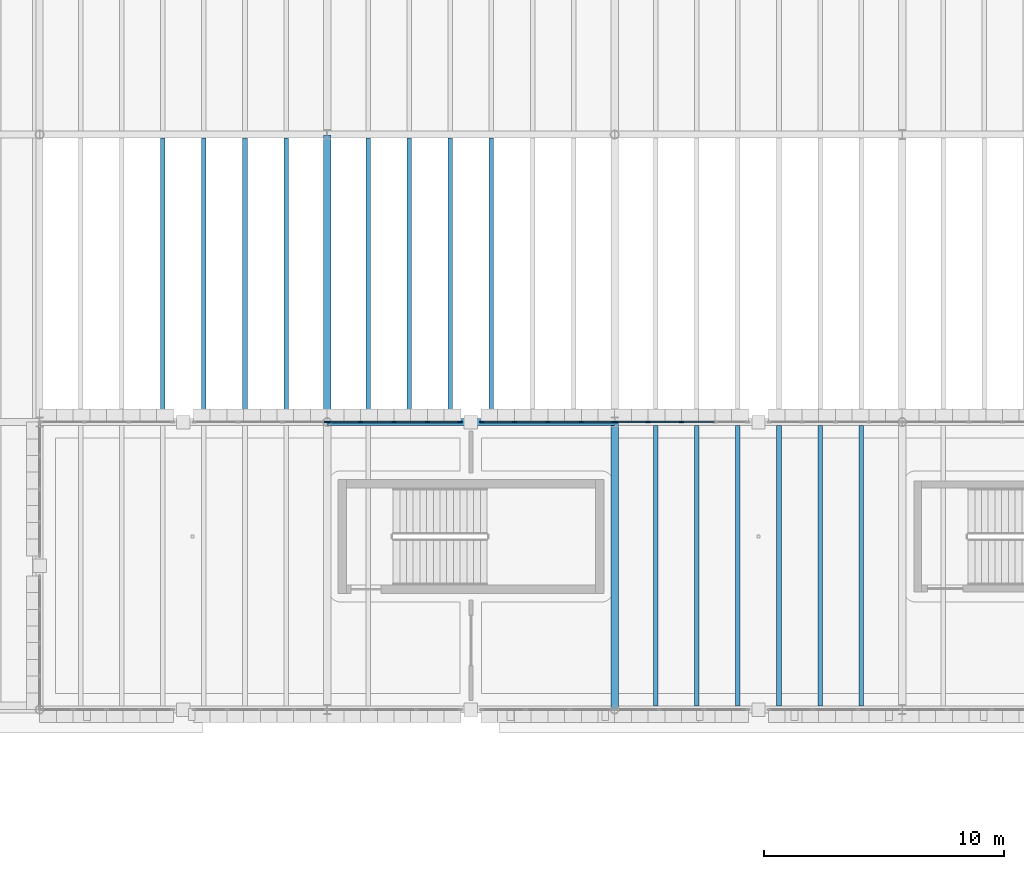
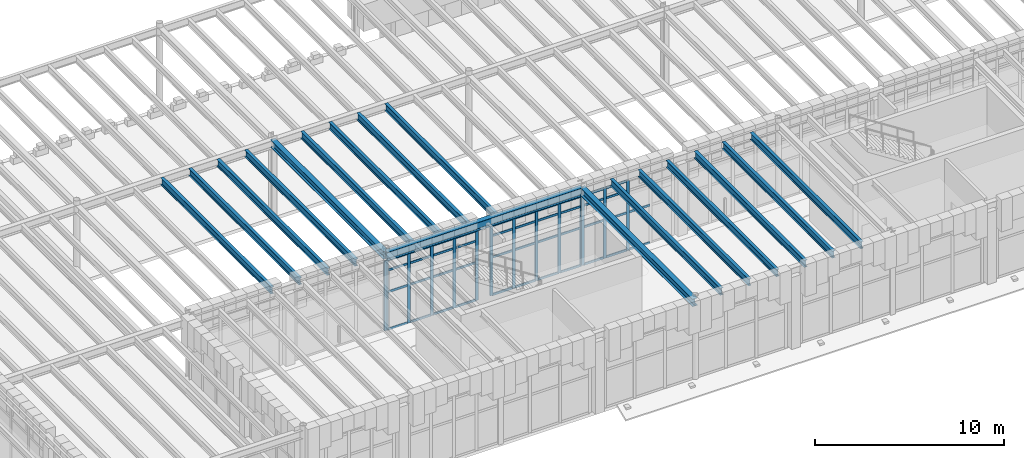
# One storey, part 31 of 100: 56 members, 17 beams, 4 elements without a shape of their own.
"""IFC4 building model written with IfcOpenShell, lengths in metres."""

from ifc_helpers import new_model, si_unit, direction, frame, origin, origin_2d, place, context, subcontext, project, spatial, rectangle, i_section, extrude, material, layer, layer_set, material_profile, profile_set, type_object, element, aggregate, save


model = new_model("IFC4")

# Units and contexts
model_context = context("Model", 3, precision=1e-05, world=origin(), true_north=direction((0.0, 1.0)))
body_context = subcontext(model_context, "Body", "Model", "MODEL_VIEW")
ifc_project = project(units=[si_unit("LENGTHUNIT", "METRE"), si_unit("AREAUNIT", "SQUARE_METRE"), si_unit("VOLUMEUNIT", "CUBIC_METRE"), si_unit("PLANEANGLEUNIT", "RADIAN"), si_unit("MASSUNIT", "GRAM", prefix="KILO")], contexts=[model_context])

# Site, building, storey
site_placement = place(None, origin())
site = spatial("IfcSite", under=ifc_project, at=site_placement, CompositionType="ELEMENT")
building_placement = place(site_placement, origin())
building = spatial("IfcBuilding", under=site, at=building_placement, Name="Zlatogorsky Bluff Art Gallery", CompositionType="ELEMENT")
storey_placement = place(building_placement, frame((0.0, 0.0, 5.39990234375)))
storey = spatial("IfcBuildingStorey", under=building, at=storey_placement, Name="L01", CompositionType="ELEMENT", Elevation=5.39990234375)

# Beams
ifc_material_1 = material(Name="Steel S355", Category="steel")
ifc_material_profile_1 = material_profile(ifc_material_1, i_section(OverallWidth=0.300048828125, OverallDepth=0.5400390625, WebThickness=0.012451171875, FlangeThickness=0.02392578125, FilletRadius=0.027099609375, at=origin_2d()), Name="HEA 550")
ifc_profile_set_1 = profile_set([ifc_material_profile_1], Name="Steel S355")
beam_type_1 = type_object("IfcBeamType", Name="Beam BM-06 HEA 550", PredefinedType="BEAM", material=ifc_profile_set_1)
beam_placement = place(storey_placement, frame((72.014892578125, 96.0, 4.840087890625), z_axis=(1.0, 0.0, 0.0), x_axis=(0.0, 1.0, 0.0)))
element("IfcBeam", 1, at=beam_placement, inside=storey, type_object=beam_type_1, Name="Primary girder BM-06 L01 G-H/10", PredefinedType="BEAM", context=body_context, shape_type="SweptSolid", body=[
    extrude(i_section(OverallWidth=0.300048828125, OverallDepth=0.5400390625, WebThickness=0.012451171875, FlangeThickness=0.02392578125, FilletRadius=0.027099609375, at=origin_2d()), origin(), (0.0, 0.0, 1.0), 11.97021484375),
])
ifc_material_profile_2 = material_profile(ifc_material_1, i_section(OverallWidth=0.300048828125, OverallDepth=0.489990234375, WebThickness=0.011962890625, FlangeThickness=0.02294921875, FilletRadius=0.027099609375, at=origin_2d()), Name="HEA 500")
ifc_profile_set_2 = profile_set([ifc_material_profile_2], Name="Steel S355")
beam_type_2 = type_object("IfcBeamType", Name="Beam BM-07 HEA 500", PredefinedType="BEAM", material=ifc_profile_set_2)
for number, where, z_axis, x_axis, name in (
    (2, (72.0, 96.014892578125, 4.864990234375), (0.0, 1.0, 0.0), (-1.0, 0.0, 0.0), "Primary girder BM-07 L01 G/10-11"),
    (3, (84.0, 84.014892578125, 4.864990234375), (0.0, 1.0, 0.0), (-1.0, 0.0, 0.0), "Primary girder BM-07 L01 H/9-10"),
):
    element("IfcBeam", number, at=place(storey_placement, frame(where, z_axis=z_axis, x_axis=x_axis)), inside=storey, type_object=beam_type_2, Name=name, PredefinedType="BEAM", context=body_context, shape_type="SweptSolid", body=[
        extrude(i_section(OverallWidth=0.300048828125, OverallDepth=0.489990234375, WebThickness=0.011962890625, FlangeThickness=0.02294921875, FilletRadius=0.027099609375, at=origin_2d()), origin(), (0.0, 0.0, 1.0), 11.97021484375),
    ])
ifc_material_profile_3 = material_profile(ifc_material_1, i_section(OverallWidth=0.18994140625, OverallDepth=0.449951171875, WebThickness=0.009521484375, FlangeThickness=0.0146484375, FilletRadius=0.02099609375, at=origin_2d()), Name="IPE 450")
ifc_profile_set_3 = profile_set([ifc_material_profile_3], Name="Steel S355")
beam_type_3 = type_object("IfcBeamType", Name="Beam JS-06 IPE 450", PredefinedType="JOIST", material=ifc_profile_set_3)
for number, where, z_axis, x_axis, name in (
    (4, (65.142822265625, 96.14990234375, 4.885009765625), (0.0, 1.0, 0.0), (-1.0, 0.0, 0.0), "Composite floor joist JS-06 L01 05.09.3"),
    (5, (66.857177734375, 96.14990234375, 4.885009765625), (0.0, 1.0, 0.0), (-1.0, 0.0, 0.0), "Composite floor joist JS-06 L01 05.09.4"),
    (6, (68.571533203125, 96.14990234375, 4.885009765625), (0.0, 1.0, 0.0), (-1.0, 0.0, 0.0), "Composite floor joist JS-06 L01 05.09.5"),
    (7, (70.28564453125, 96.14990234375, 4.885009765625), (0.0, 1.0, 0.0), (-1.0, 0.0, 0.0), "Composite floor joist JS-06 L01 05.09.6"),
    (8, (73.71435546875, 96.14990234375, 4.885009765625), (0.0, 1.0, 0.0), (-1.0, 0.0, 0.0), "Composite floor joist JS-06 L01 06.09.1"),
    (9, (75.428466796875, 96.14990234375, 4.885009765625), (0.0, 1.0, 0.0), (-1.0, 0.0, 0.0), "Composite floor joist JS-06 L01 06.09.2"),
    (10, (77.142822265625, 96.14990234375, 4.885009765625), (0.0, 1.0, 0.0), (-1.0, 0.0, 0.0), "Composite floor joist JS-06 L01 06.09.3"),
    (11, (78.857177734375, 96.14990234375, 4.885009765625), (0.0, 1.0, 0.0), (-1.0, 0.0, 0.0), "Composite floor joist JS-06 L01 06.09.4"),
    (12, (85.71435546875, 84.14990234375, 4.885009765625), (0.0, 1.0, 0.0), (-1.0, 0.0, 0.0), "Composite floor joist JS-06 L01 07.08.1"),
    (13, (87.428466796875, 84.14990234375, 4.885009765625), (0.0, 1.0, 0.0), (-1.0, 0.0, 0.0), "Composite floor joist JS-06 L01 07.08.2"),
    (14, (89.142822265625, 84.14990234375, 4.885009765625), (0.0, 1.0, 0.0), (-1.0, 0.0, 0.0), "Composite floor joist JS-06 L01 07.08.3"),
    (15, (90.857177734375, 84.14990234375, 4.885009765625), (0.0, 1.0, 0.0), (-1.0, 0.0, 0.0), "Composite floor joist JS-06 L01 07.08.4"),
    (16, (92.571533203125, 84.14990234375, 4.885009765625), (0.0, 1.0, 0.0), (-1.0, 0.0, 0.0), "Composite floor joist JS-06 L01 07.08.5"),
    (17, (94.28564453125, 84.14990234375, 4.885009765625), (0.0, 1.0, 0.0), (-1.0, 0.0, 0.0), "Composite floor joist JS-06 L01 07.08.6"),
):
    element("IfcBeam", number, at=place(storey_placement, frame(where, z_axis=z_axis, x_axis=x_axis)), inside=storey, type_object=beam_type_3, Name=name, PredefinedType="JOIST", context=body_context, shape_type="SweptSolid", body=[
        extrude(i_section(OverallWidth=0.18994140625, OverallDepth=0.449951171875, WebThickness=0.009521484375, FlangeThickness=0.0146484375, FilletRadius=0.02099609375, at=origin_2d()), origin(), (0.0, 0.0, 1.0), 11.7001953125),
    ])

# Curtain wall, member
ifc_material_2 = material(Name="Anodised Bronze Aluminium and Low-Iron Triple Glazing", Category="aluminium")
ifc_layer_1 = layer(ifc_material_2, 0.219970703125)
ifc_layer_set_1 = layer_set([ifc_layer_1], Name="Curtain Wall CW-04")
curtain_wall_type_1 = type_object("IfcCurtainWallType", Name="Curtain Wall CW-04", PredefinedType="USERDEFINED", material=ifc_layer_set_1)
curtain_wall_1_placement = place(storey_placement, origin())
curtain_wall_1 = element("IfcCurtainWall", 18, at=curtain_wall_1_placement, inside=storey, type_object=curtain_wall_type_1, Name="Unitised curtain wall CW-04 L01 N 5.8-A", ObjectType="CURTAIN WALL", PredefinedType="USERDEFINED")
ifc_material_3 = material(Name="Anodised Bronze Aluminium", Category="aluminium")
ifc_material_profile_4 = material_profile(ifc_material_3, rectangle(XDim=0.06494140625, YDim=0.179931640625, at=origin_2d()), Name="ALU MULLION 65x180")
ifc_profile_set_4 = profile_set([ifc_material_profile_4], Name="Anodised Bronze Aluminium")
member_type_1 = type_object("IfcMemberType", Name="Curtain Mullion ML-01", PredefinedType="MULLION", material=ifc_profile_set_4)
member_1_placement = place(storey_placement, frame((71.967529296875, 96.0, 0.0), z_axis=(0.0, 0.0, 1.0), x_axis=(0.0, -1.0, 0.0)))
member_1 = element("IfcMember", 19, at=member_1_placement, type_object=member_type_1, Name="CW-04 mullion 1", PredefinedType="MULLION", context=body_context, shape_type="SweptSolid", body=[
    extrude(rectangle(XDim=0.06494140625, YDim=0.179931640625, at=origin_2d()), origin(), (0.0, 0.0, 1.0), 4.530029296875),
])
aggregate(curtain_wall_1, [member_1])

# Curtain wall, members
ifc_layer_2 = layer(ifc_material_2, 0.199951171875)
ifc_layer_set_2 = layer_set([ifc_layer_2], Name="Curtain Wall CW-02")
curtain_wall_type_2 = type_object("IfcCurtainWallType", Name="Curtain Wall CW-02", PredefinedType="USERDEFINED", material=ifc_layer_set_2)
curtain_wall_2_placement = place(storey_placement, origin())
curtain_wall_2 = element("IfcCurtainWall", 20, at=curtain_wall_2_placement, inside=storey, type_object=curtain_wall_type_2, Name="Unitised curtain wall CW-02 L01 N 6.8-A", ObjectType="CURTAIN WALL", PredefinedType="USERDEFINED")
member_2_placement = place(storey_placement, frame((83.967529296875, 96.0, 0.0), z_axis=(0.0, 0.0, 1.0), x_axis=(0.0, -1.0, 0.0)))
member_2 = element("IfcMember", 21, at=member_2_placement, type_object=member_type_1, Name="CW-02 mullion 1", PredefinedType="MULLION", context=body_context, shape_type="SweptSolid", body=[
    extrude(rectangle(XDim=0.06494140625, YDim=0.179931640625, at=origin_2d()), origin(), (0.0, 0.0, 1.0), 4.530029296875),
])
member_3_placement = place(storey_placement, frame((82.60498046875, 96.0, 0.0), z_axis=(0.0, 0.0, 1.0), x_axis=(0.0, -1.0, 0.0)))
member_3 = element("IfcMember", 22, at=member_3_placement, type_object=member_type_1, Name="CW-02 mullion 2", PredefinedType="MULLION", context=body_context, shape_type="SweptSolid", body=[
    extrude(rectangle(XDim=0.06494140625, YDim=0.179931640625, at=origin_2d()), origin(), (0.0, 0.0, 1.0), 4.530029296875),
])
member_4_placement = place(storey_placement, frame((81.2099609375, 96.0, 0.0), z_axis=(0.0, 0.0, 1.0), x_axis=(0.0, -1.0, 0.0)))
member_4 = element("IfcMember", 23, at=member_4_placement, type_object=member_type_1, Name="CW-02 mullion 3", PredefinedType="MULLION", context=body_context, shape_type="SweptSolid", body=[
    extrude(rectangle(XDim=0.06494140625, YDim=0.179931640625, at=origin_2d()), origin(), (0.0, 0.0, 1.0), 4.530029296875),
])
member_5_placement = place(storey_placement, frame((79.81494140625, 96.0, 0.0), z_axis=(0.0, 0.0, 1.0), x_axis=(0.0, -1.0, 0.0)))
member_5 = element("IfcMember", 24, at=member_5_placement, type_object=member_type_1, Name="CW-02 mullion 4", PredefinedType="MULLION", context=body_context, shape_type="SweptSolid", body=[
    extrude(rectangle(XDim=0.06494140625, YDim=0.179931640625, at=origin_2d()), origin(), (0.0, 0.0, 1.0), 4.530029296875),
])
member_6_placement = place(storey_placement, frame((78.452392578125, 96.0, 0.0), z_axis=(0.0, 0.0, 1.0), x_axis=(0.0, -1.0, 0.0)))
member_6 = element("IfcMember", 25, at=member_6_placement, type_object=member_type_1, Name="CW-02 mullion 5", PredefinedType="MULLION", context=body_context, shape_type="SweptSolid", body=[
    extrude(rectangle(XDim=0.06494140625, YDim=0.179931640625, at=origin_2d()), origin(), (0.0, 0.0, 1.0), 4.530029296875),
])

curtain_wall_3_placement = place(storey_placement, origin())
curtain_wall_3 = element("IfcCurtainWall", 26, at=curtain_wall_3_placement, inside=storey, type_object=curtain_wall_type_2, Name="Unitised curtain wall CW-02 L01 N 6.8-B", ObjectType="CURTAIN WALL", PredefinedType="USERDEFINED")
member_7_placement = place(storey_placement, frame((77.547607421875, 96.0, 0.0), z_axis=(0.0, 0.0, 1.0), x_axis=(0.0, -1.0, 0.0)))
member_7 = element("IfcMember", 27, at=member_7_placement, type_object=member_type_1, Name="CW-02 mullion 1", PredefinedType="MULLION", context=body_context, shape_type="SweptSolid", body=[
    extrude(rectangle(XDim=0.06494140625, YDim=0.179931640625, at=origin_2d()), origin(), (0.0, 0.0, 1.0), 4.530029296875),
])
member_8_placement = place(storey_placement, frame((76.18505859375, 96.0, 0.0), z_axis=(0.0, 0.0, 1.0), x_axis=(0.0, -1.0, 0.0)))
member_8 = element("IfcMember", 28, at=member_8_placement, type_object=member_type_1, Name="CW-02 mullion 2", PredefinedType="MULLION", context=body_context, shape_type="SweptSolid", body=[
    extrude(rectangle(XDim=0.06494140625, YDim=0.179931640625, at=origin_2d()), origin(), (0.0, 0.0, 1.0), 4.530029296875),
])
member_9_placement = place(storey_placement, frame((74.7900390625, 96.0, 0.0), z_axis=(0.0, 0.0, 1.0), x_axis=(0.0, -1.0, 0.0)))
member_9 = element("IfcMember", 29, at=member_9_placement, type_object=member_type_1, Name="CW-02 mullion 3", PredefinedType="MULLION", context=body_context, shape_type="SweptSolid", body=[
    extrude(rectangle(XDim=0.06494140625, YDim=0.179931640625, at=origin_2d()), origin(), (0.0, 0.0, 1.0), 4.530029296875),
])
member_10_placement = place(storey_placement, frame((73.39501953125, 96.0, 0.0), z_axis=(0.0, 0.0, 1.0), x_axis=(0.0, -1.0, 0.0)))
member_10 = element("IfcMember", 30, at=member_10_placement, type_object=member_type_1, Name="CW-02 mullion 4", PredefinedType="MULLION", context=body_context, shape_type="SweptSolid", body=[
    extrude(rectangle(XDim=0.06494140625, YDim=0.179931640625, at=origin_2d()), origin(), (0.0, 0.0, 1.0), 4.530029296875),
])
member_11_placement = place(storey_placement, frame((72.032470703125, 96.0, 0.0), z_axis=(0.0, 0.0, 1.0), x_axis=(0.0, -1.0, 0.0)))
member_11 = element("IfcMember", 31, at=member_11_placement, type_object=member_type_1, Name="CW-02 mullion 5", PredefinedType="MULLION", context=body_context, shape_type="SweptSolid", body=[
    extrude(rectangle(XDim=0.06494140625, YDim=0.179931640625, at=origin_2d()), origin(), (0.0, 0.0, 1.0), 4.530029296875),
])

curtain_wall_4_placement = place(storey_placement, origin())
curtain_wall_4 = element("IfcCurtainWall", 32, at=curtain_wall_4_placement, inside=storey, type_object=curtain_wall_type_2, Name="Unitised curtain wall CW-02 L01 N 7.8-B", ObjectType="CURTAIN WALL", PredefinedType="USERDEFINED")
member_12_placement = place(storey_placement, frame((86.7900390625, 96.0, 0.0), z_axis=(0.0, 0.0, 1.0), x_axis=(0.0, -1.0, 0.0)))
member_12 = element("IfcMember", 33, at=member_12_placement, type_object=member_type_1, Name="CW-02 mullion 3", PredefinedType="MULLION", context=body_context, shape_type="SweptSolid", body=[
    extrude(rectangle(XDim=0.06494140625, YDim=0.179931640625, at=origin_2d()), origin(), (0.0, 0.0, 1.0), 4.530029296875),
])
member_13_placement = place(storey_placement, frame((85.39501953125, 96.0, 0.0), z_axis=(0.0, 0.0, 1.0), x_axis=(0.0, -1.0, 0.0)))
member_13 = element("IfcMember", 34, at=member_13_placement, type_object=member_type_1, Name="CW-02 mullion 4", PredefinedType="MULLION", context=body_context, shape_type="SweptSolid", body=[
    extrude(rectangle(XDim=0.06494140625, YDim=0.179931640625, at=origin_2d()), origin(), (0.0, 0.0, 1.0), 4.530029296875),
])
member_14_placement = place(storey_placement, frame((84.032470703125, 96.0, 0.0), z_axis=(0.0, 0.0, 1.0), x_axis=(0.0, -1.0, 0.0)))
member_14 = element("IfcMember", 35, at=member_14_placement, type_object=member_type_1, Name="CW-02 mullion 5", PredefinedType="MULLION", context=body_context, shape_type="SweptSolid", body=[
    extrude(rectangle(XDim=0.06494140625, YDim=0.179931640625, at=origin_2d()), origin(), (0.0, 0.0, 1.0), 4.530029296875),
])

# Member
ifc_material_profile_5 = material_profile(ifc_material_3, rectangle(XDim=0.06494140625, YDim=0.139892578125, at=origin_2d()), Name="ALU TRANSOM 65x140")
ifc_profile_set_5 = profile_set([ifc_material_profile_5], Name="Anodised Bronze Aluminium")
member_type_2 = type_object("IfcMemberType", Name="Curtain Transom TR-01", PredefinedType="USERDEFINED", material=ifc_profile_set_5)
member_15_placement = place(storey_placement, frame((83.93505859375, 96.0, 0.03271484375), z_axis=(-1.0, 0.0, 0.0), x_axis=(0.0, -1.0, 0.0)))
member_15 = element("IfcMember", 36, at=member_15_placement, type_object=member_type_2, Name="CW-02 transom 1.1", ObjectType="TRANSOM", PredefinedType="USERDEFINED", context=body_context, shape_type="SweptSolid", body=[
    extrude(rectangle(XDim=0.06494140625, YDim=0.139892578125, at=origin_2d()), origin(), (0.0, 0.0, 1.0), 1.297607421875),
])

member_16_placement = place(storey_placement, frame((83.93505859375, 96.0, 2.4501953125), z_axis=(-1.0, 0.0, 0.0), x_axis=(0.0, -1.0, 0.0)))
member_16 = element("IfcMember", 37, at=member_16_placement, type_object=member_type_2, Name="CW-02 transom 1.2", ObjectType="TRANSOM", PredefinedType="USERDEFINED", context=body_context, shape_type="SweptSolid", body=[
    extrude(rectangle(XDim=0.06494140625, YDim=0.139892578125, at=origin_2d()), origin(), (0.0, 0.0, 1.0), 1.297607421875),
])

member_17_placement = place(storey_placement, frame((83.93505859375, 96.0, 3.85009765625), z_axis=(-1.0, 0.0, 0.0), x_axis=(0.0, -1.0, 0.0)))
member_17 = element("IfcMember", 38, at=member_17_placement, type_object=member_type_2, Name="CW-02 transom 1.3", ObjectType="TRANSOM", PredefinedType="USERDEFINED", context=body_context, shape_type="SweptSolid", body=[
    extrude(rectangle(XDim=0.06494140625, YDim=0.139892578125, at=origin_2d()), origin(), (0.0, 0.0, 1.0), 1.297607421875),
])

member_18_placement = place(storey_placement, frame((83.93505859375, 96.0, 4.49755859375), z_axis=(-1.0, 0.0, 0.0), x_axis=(0.0, -1.0, 0.0)))
member_18 = element("IfcMember", 39, at=member_18_placement, type_object=member_type_2, Name="CW-02 transom 1.4", ObjectType="TRANSOM", PredefinedType="USERDEFINED", context=body_context, shape_type="SweptSolid", body=[
    extrude(rectangle(XDim=0.06494140625, YDim=0.139892578125, at=origin_2d()), origin(), (0.0, 0.0, 1.0), 1.297607421875),
])

member_19_placement = place(storey_placement, frame((82.572509765625, 96.0, 0.03271484375), z_axis=(-1.0, 0.0, 0.0), x_axis=(0.0, -1.0, 0.0)))
member_19 = element("IfcMember", 40, at=member_19_placement, type_object=member_type_2, Name="CW-02 transom 2.1", ObjectType="TRANSOM", PredefinedType="USERDEFINED", context=body_context, shape_type="SweptSolid", body=[
    extrude(rectangle(XDim=0.06494140625, YDim=0.139892578125, at=origin_2d()), origin(), (0.0, 0.0, 1.0), 1.330078125),
])

member_20_placement = place(storey_placement, frame((82.572509765625, 96.0, 2.4501953125), z_axis=(-1.0, 0.0, 0.0), x_axis=(0.0, -1.0, 0.0)))
member_20 = element("IfcMember", 41, at=member_20_placement, type_object=member_type_2, Name="CW-02 transom 2.2", ObjectType="TRANSOM", PredefinedType="USERDEFINED", context=body_context, shape_type="SweptSolid", body=[
    extrude(rectangle(XDim=0.06494140625, YDim=0.139892578125, at=origin_2d()), origin(), (0.0, 0.0, 1.0), 1.330078125),
])

member_21_placement = place(storey_placement, frame((82.572509765625, 96.0, 3.85009765625), z_axis=(-1.0, 0.0, 0.0), x_axis=(0.0, -1.0, 0.0)))
member_21 = element("IfcMember", 42, at=member_21_placement, type_object=member_type_2, Name="CW-02 transom 2.3", ObjectType="TRANSOM", PredefinedType="USERDEFINED", context=body_context, shape_type="SweptSolid", body=[
    extrude(rectangle(XDim=0.06494140625, YDim=0.139892578125, at=origin_2d()), origin(), (0.0, 0.0, 1.0), 1.330078125),
])

member_22_placement = place(storey_placement, frame((82.572509765625, 96.0, 4.49755859375), z_axis=(-1.0, 0.0, 0.0), x_axis=(0.0, -1.0, 0.0)))
member_22 = element("IfcMember", 43, at=member_22_placement, type_object=member_type_2, Name="CW-02 transom 2.4", ObjectType="TRANSOM", PredefinedType="USERDEFINED", context=body_context, shape_type="SweptSolid", body=[
    extrude(rectangle(XDim=0.06494140625, YDim=0.139892578125, at=origin_2d()), origin(), (0.0, 0.0, 1.0), 1.330078125),
])

member_23_placement = place(storey_placement, frame((81.177490234375, 96.0, 0.03271484375), z_axis=(-1.0, 0.0, 0.0), x_axis=(0.0, -1.0, 0.0)))
member_23 = element("IfcMember", 44, at=member_23_placement, type_object=member_type_2, Name="CW-02 transom 3.1", ObjectType="TRANSOM", PredefinedType="USERDEFINED", context=body_context, shape_type="SweptSolid", body=[
    extrude(rectangle(XDim=0.06494140625, YDim=0.139892578125, at=origin_2d()), origin(), (0.0, 0.0, 1.0), 1.330078125),
])

member_24_placement = place(storey_placement, frame((81.177490234375, 96.0, 2.4501953125), z_axis=(-1.0, 0.0, 0.0), x_axis=(0.0, -1.0, 0.0)))
member_24 = element("IfcMember", 45, at=member_24_placement, type_object=member_type_2, Name="CW-02 transom 3.2", ObjectType="TRANSOM", PredefinedType="USERDEFINED", context=body_context, shape_type="SweptSolid", body=[
    extrude(rectangle(XDim=0.06494140625, YDim=0.139892578125, at=origin_2d()), origin(), (0.0, 0.0, 1.0), 1.330078125),
])

member_25_placement = place(storey_placement, frame((81.177490234375, 96.0, 3.85009765625), z_axis=(-1.0, 0.0, 0.0), x_axis=(0.0, -1.0, 0.0)))
member_25 = element("IfcMember", 46, at=member_25_placement, type_object=member_type_2, Name="CW-02 transom 3.3", ObjectType="TRANSOM", PredefinedType="USERDEFINED", context=body_context, shape_type="SweptSolid", body=[
    extrude(rectangle(XDim=0.06494140625, YDim=0.139892578125, at=origin_2d()), origin(), (0.0, 0.0, 1.0), 1.330078125),
])

member_26_placement = place(storey_placement, frame((81.177490234375, 96.0, 4.49755859375), z_axis=(-1.0, 0.0, 0.0), x_axis=(0.0, -1.0, 0.0)))
member_26 = element("IfcMember", 47, at=member_26_placement, type_object=member_type_2, Name="CW-02 transom 3.4", ObjectType="TRANSOM", PredefinedType="USERDEFINED", context=body_context, shape_type="SweptSolid", body=[
    extrude(rectangle(XDim=0.06494140625, YDim=0.139892578125, at=origin_2d()), origin(), (0.0, 0.0, 1.0), 1.330078125),
])

member_27_placement = place(storey_placement, frame((79.782470703125, 96.0, 0.03271484375), z_axis=(-1.0, 0.0, 0.0), x_axis=(0.0, -1.0, 0.0)))
member_27 = element("IfcMember", 48, at=member_27_placement, type_object=member_type_2, Name="CW-02 transom 4.1", ObjectType="TRANSOM", PredefinedType="USERDEFINED", context=body_context, shape_type="SweptSolid", body=[
    extrude(rectangle(XDim=0.06494140625, YDim=0.139892578125, at=origin_2d()), origin(), (0.0, 0.0, 1.0), 1.29736328125),
])

member_28_placement = place(storey_placement, frame((79.782470703125, 96.0, 2.4501953125), z_axis=(-1.0, 0.0, 0.0), x_axis=(0.0, -1.0, 0.0)))
member_28 = element("IfcMember", 49, at=member_28_placement, type_object=member_type_2, Name="CW-02 transom 4.2", ObjectType="TRANSOM", PredefinedType="USERDEFINED", context=body_context, shape_type="SweptSolid", body=[
    extrude(rectangle(XDim=0.06494140625, YDim=0.139892578125, at=origin_2d()), origin(), (0.0, 0.0, 1.0), 1.29736328125),
])

member_29_placement = place(storey_placement, frame((79.782470703125, 96.0, 3.85009765625), z_axis=(-1.0, 0.0, 0.0), x_axis=(0.0, -1.0, 0.0)))
member_29 = element("IfcMember", 50, at=member_29_placement, type_object=member_type_2, Name="CW-02 transom 4.3", ObjectType="TRANSOM", PredefinedType="USERDEFINED", context=body_context, shape_type="SweptSolid", body=[
    extrude(rectangle(XDim=0.06494140625, YDim=0.139892578125, at=origin_2d()), origin(), (0.0, 0.0, 1.0), 1.29736328125),
])

member_30_placement = place(storey_placement, frame((79.782470703125, 96.0, 4.49755859375), z_axis=(-1.0, 0.0, 0.0), x_axis=(0.0, -1.0, 0.0)))
member_30 = element("IfcMember", 51, at=member_30_placement, type_object=member_type_2, Name="CW-02 transom 4.4", ObjectType="TRANSOM", PredefinedType="USERDEFINED", context=body_context, shape_type="SweptSolid", body=[
    extrude(rectangle(XDim=0.06494140625, YDim=0.139892578125, at=origin_2d()), origin(), (0.0, 0.0, 1.0), 1.29736328125),
])

aggregate(curtain_wall_2, [member_2, member_3, member_4, member_5, member_6, member_15, member_16, member_17, member_18, member_19, member_20, member_21, member_22, member_23, member_24, member_25, member_26, member_27, member_28, member_29, member_30])

member_31_placement = place(storey_placement, frame((77.514892578125, 96.0, 0.03271484375), z_axis=(-1.0, 0.0, 0.0), x_axis=(0.0, -1.0, 0.0)))
member_31 = element("IfcMember", 52, at=member_31_placement, type_object=member_type_2, Name="CW-02 transom 1.1", ObjectType="TRANSOM", PredefinedType="USERDEFINED", context=body_context, shape_type="SweptSolid", body=[
    extrude(rectangle(XDim=0.06494140625, YDim=0.139892578125, at=origin_2d()), origin(), (0.0, 0.0, 1.0), 1.29736328125),
])

member_32_placement = place(storey_placement, frame((77.514892578125, 96.0, 2.4501953125), z_axis=(-1.0, 0.0, 0.0), x_axis=(0.0, -1.0, 0.0)))
member_32 = element("IfcMember", 53, at=member_32_placement, type_object=member_type_2, Name="CW-02 transom 1.2", ObjectType="TRANSOM", PredefinedType="USERDEFINED", context=body_context, shape_type="SweptSolid", body=[
    extrude(rectangle(XDim=0.06494140625, YDim=0.139892578125, at=origin_2d()), origin(), (0.0, 0.0, 1.0), 1.29736328125),
])

member_33_placement = place(storey_placement, frame((77.514892578125, 96.0, 3.85009765625), z_axis=(-1.0, 0.0, 0.0), x_axis=(0.0, -1.0, 0.0)))
member_33 = element("IfcMember", 54, at=member_33_placement, type_object=member_type_2, Name="CW-02 transom 1.3", ObjectType="TRANSOM", PredefinedType="USERDEFINED", context=body_context, shape_type="SweptSolid", body=[
    extrude(rectangle(XDim=0.06494140625, YDim=0.139892578125, at=origin_2d()), origin(), (0.0, 0.0, 1.0), 1.29736328125),
])

member_34_placement = place(storey_placement, frame((77.514892578125, 96.0, 4.49755859375), z_axis=(-1.0, 0.0, 0.0), x_axis=(0.0, -1.0, 0.0)))
member_34 = element("IfcMember", 55, at=member_34_placement, type_object=member_type_2, Name="CW-02 transom 1.4", ObjectType="TRANSOM", PredefinedType="USERDEFINED", context=body_context, shape_type="SweptSolid", body=[
    extrude(rectangle(XDim=0.06494140625, YDim=0.139892578125, at=origin_2d()), origin(), (0.0, 0.0, 1.0), 1.29736328125),
])

member_35_placement = place(storey_placement, frame((76.152587890625, 96.0, 0.03271484375), z_axis=(-1.0, 0.0, 0.0), x_axis=(0.0, -1.0, 0.0)))
member_35 = element("IfcMember", 56, at=member_35_placement, type_object=member_type_2, Name="CW-02 transom 2.1", ObjectType="TRANSOM", PredefinedType="USERDEFINED", context=body_context, shape_type="SweptSolid", body=[
    extrude(rectangle(XDim=0.06494140625, YDim=0.139892578125, at=origin_2d()), origin(), (0.0, 0.0, 1.0), 1.330078125),
])

member_36_placement = place(storey_placement, frame((76.152587890625, 96.0, 2.4501953125), z_axis=(-1.0, 0.0, 0.0), x_axis=(0.0, -1.0, 0.0)))
member_36 = element("IfcMember", 57, at=member_36_placement, type_object=member_type_2, Name="CW-02 transom 2.2", ObjectType="TRANSOM", PredefinedType="USERDEFINED", context=body_context, shape_type="SweptSolid", body=[
    extrude(rectangle(XDim=0.06494140625, YDim=0.139892578125, at=origin_2d()), origin(), (0.0, 0.0, 1.0), 1.330078125),
])

member_37_placement = place(storey_placement, frame((76.152587890625, 96.0, 3.85009765625), z_axis=(-1.0, 0.0, 0.0), x_axis=(0.0, -1.0, 0.0)))
member_37 = element("IfcMember", 58, at=member_37_placement, type_object=member_type_2, Name="CW-02 transom 2.3", ObjectType="TRANSOM", PredefinedType="USERDEFINED", context=body_context, shape_type="SweptSolid", body=[
    extrude(rectangle(XDim=0.06494140625, YDim=0.139892578125, at=origin_2d()), origin(), (0.0, 0.0, 1.0), 1.330078125),
])

member_38_placement = place(storey_placement, frame((76.152587890625, 96.0, 4.49755859375), z_axis=(-1.0, 0.0, 0.0), x_axis=(0.0, -1.0, 0.0)))
member_38 = element("IfcMember", 59, at=member_38_placement, type_object=member_type_2, Name="CW-02 transom 2.4", ObjectType="TRANSOM", PredefinedType="USERDEFINED", context=body_context, shape_type="SweptSolid", body=[
    extrude(rectangle(XDim=0.06494140625, YDim=0.139892578125, at=origin_2d()), origin(), (0.0, 0.0, 1.0), 1.330078125),
])

member_39_placement = place(storey_placement, frame((74.757568359375, 96.0, 0.03271484375), z_axis=(-1.0, 0.0, 0.0), x_axis=(0.0, -1.0, 0.0)))
member_39 = element("IfcMember", 60, at=member_39_placement, type_object=member_type_2, Name="CW-02 transom 3.1", ObjectType="TRANSOM", PredefinedType="USERDEFINED", context=body_context, shape_type="SweptSolid", body=[
    extrude(rectangle(XDim=0.06494140625, YDim=0.139892578125, at=origin_2d()), origin(), (0.0, 0.0, 1.0), 1.330078125),
])

member_40_placement = place(storey_placement, frame((74.757568359375, 96.0, 2.4501953125), z_axis=(-1.0, 0.0, 0.0), x_axis=(0.0, -1.0, 0.0)))
member_40 = element("IfcMember", 61, at=member_40_placement, type_object=member_type_2, Name="CW-02 transom 3.2", ObjectType="TRANSOM", PredefinedType="USERDEFINED", context=body_context, shape_type="SweptSolid", body=[
    extrude(rectangle(XDim=0.06494140625, YDim=0.139892578125, at=origin_2d()), origin(), (0.0, 0.0, 1.0), 1.330078125),
])

member_41_placement = place(storey_placement, frame((74.757568359375, 96.0, 3.85009765625), z_axis=(-1.0, 0.0, 0.0), x_axis=(0.0, -1.0, 0.0)))
member_41 = element("IfcMember", 62, at=member_41_placement, type_object=member_type_2, Name="CW-02 transom 3.3", ObjectType="TRANSOM", PredefinedType="USERDEFINED", context=body_context, shape_type="SweptSolid", body=[
    extrude(rectangle(XDim=0.06494140625, YDim=0.139892578125, at=origin_2d()), origin(), (0.0, 0.0, 1.0), 1.330078125),
])

member_42_placement = place(storey_placement, frame((74.757568359375, 96.0, 4.49755859375), z_axis=(-1.0, 0.0, 0.0), x_axis=(0.0, -1.0, 0.0)))
member_42 = element("IfcMember", 63, at=member_42_placement, type_object=member_type_2, Name="CW-02 transom 3.4", ObjectType="TRANSOM", PredefinedType="USERDEFINED", context=body_context, shape_type="SweptSolid", body=[
    extrude(rectangle(XDim=0.06494140625, YDim=0.139892578125, at=origin_2d()), origin(), (0.0, 0.0, 1.0), 1.330078125),
])

member_43_placement = place(storey_placement, frame((73.362548828125, 96.0, 0.03271484375), z_axis=(-1.0, 0.0, 0.0), x_axis=(0.0, -1.0, 0.0)))
member_43 = element("IfcMember", 64, at=member_43_placement, type_object=member_type_2, Name="CW-02 transom 4.1", ObjectType="TRANSOM", PredefinedType="USERDEFINED", context=body_context, shape_type="SweptSolid", body=[
    extrude(rectangle(XDim=0.06494140625, YDim=0.139892578125, at=origin_2d()), origin(), (0.0, 0.0, 1.0), 1.297607421875),
])

member_44_placement = place(storey_placement, frame((73.362548828125, 96.0, 2.4501953125), z_axis=(-1.0, 0.0, 0.0), x_axis=(0.0, -1.0, 0.0)))
member_44 = element("IfcMember", 65, at=member_44_placement, type_object=member_type_2, Name="CW-02 transom 4.2", ObjectType="TRANSOM", PredefinedType="USERDEFINED", context=body_context, shape_type="SweptSolid", body=[
    extrude(rectangle(XDim=0.06494140625, YDim=0.139892578125, at=origin_2d()), origin(), (0.0, 0.0, 1.0), 1.297607421875),
])

member_45_placement = place(storey_placement, frame((73.362548828125, 96.0, 3.85009765625), z_axis=(-1.0, 0.0, 0.0), x_axis=(0.0, -1.0, 0.0)))
member_45 = element("IfcMember", 66, at=member_45_placement, type_object=member_type_2, Name="CW-02 transom 4.3", ObjectType="TRANSOM", PredefinedType="USERDEFINED", context=body_context, shape_type="SweptSolid", body=[
    extrude(rectangle(XDim=0.06494140625, YDim=0.139892578125, at=origin_2d()), origin(), (0.0, 0.0, 1.0), 1.297607421875),
])

member_46_placement = place(storey_placement, frame((73.362548828125, 96.0, 4.49755859375), z_axis=(-1.0, 0.0, 0.0), x_axis=(0.0, -1.0, 0.0)))
member_46 = element("IfcMember", 67, at=member_46_placement, type_object=member_type_2, Name="CW-02 transom 4.4", ObjectType="TRANSOM", PredefinedType="USERDEFINED", context=body_context, shape_type="SweptSolid", body=[
    extrude(rectangle(XDim=0.06494140625, YDim=0.139892578125, at=origin_2d()), origin(), (0.0, 0.0, 1.0), 1.297607421875),
])

aggregate(curtain_wall_3, [member_7, member_8, member_9, member_10, member_11, member_31, member_32, member_33, member_34, member_35, member_36, member_37, member_38, member_39, member_40, member_41, member_42, member_43, member_44, member_45, member_46])

member_47_placement = place(storey_placement, frame((88.152587890625, 96.0, 0.03271484375), z_axis=(-1.0, 0.0, 0.0), x_axis=(0.0, -1.0, 0.0)))
member_47 = element("IfcMember", 68, at=member_47_placement, type_object=member_type_2, Name="CW-02 transom 2.1", ObjectType="TRANSOM", PredefinedType="USERDEFINED", context=body_context, shape_type="SweptSolid", body=[
    extrude(rectangle(XDim=0.06494140625, YDim=0.139892578125, at=origin_2d()), origin(), (0.0, 0.0, 1.0), 1.330078125),
])

member_48_placement = place(storey_placement, frame((88.152587890625, 96.0, 2.4501953125), z_axis=(-1.0, 0.0, 0.0), x_axis=(0.0, -1.0, 0.0)))
member_48 = element("IfcMember", 69, at=member_48_placement, type_object=member_type_2, Name="CW-02 transom 2.2", ObjectType="TRANSOM", PredefinedType="USERDEFINED", context=body_context, shape_type="SweptSolid", body=[
    extrude(rectangle(XDim=0.06494140625, YDim=0.139892578125, at=origin_2d()), origin(), (0.0, 0.0, 1.0), 1.330078125),
])

member_49_placement = place(storey_placement, frame((86.757568359375, 96.0, 0.03271484375), z_axis=(-1.0, 0.0, 0.0), x_axis=(0.0, -1.0, 0.0)))
member_49 = element("IfcMember", 70, at=member_49_placement, type_object=member_type_2, Name="CW-02 transom 3.1", ObjectType="TRANSOM", PredefinedType="USERDEFINED", context=body_context, shape_type="SweptSolid", body=[
    extrude(rectangle(XDim=0.06494140625, YDim=0.139892578125, at=origin_2d()), origin(), (0.0, 0.0, 1.0), 1.330078125),
])

member_50_placement = place(storey_placement, frame((86.757568359375, 96.0, 2.4501953125), z_axis=(-1.0, 0.0, 0.0), x_axis=(0.0, -1.0, 0.0)))
member_50 = element("IfcMember", 71, at=member_50_placement, type_object=member_type_2, Name="CW-02 transom 3.2", ObjectType="TRANSOM", PredefinedType="USERDEFINED", context=body_context, shape_type="SweptSolid", body=[
    extrude(rectangle(XDim=0.06494140625, YDim=0.139892578125, at=origin_2d()), origin(), (0.0, 0.0, 1.0), 1.330078125),
])

member_51_placement = place(storey_placement, frame((86.757568359375, 96.0, 3.85009765625), z_axis=(-1.0, 0.0, 0.0), x_axis=(0.0, -1.0, 0.0)))
member_51 = element("IfcMember", 72, at=member_51_placement, type_object=member_type_2, Name="CW-02 transom 3.3", ObjectType="TRANSOM", PredefinedType="USERDEFINED", context=body_context, shape_type="SweptSolid", body=[
    extrude(rectangle(XDim=0.06494140625, YDim=0.139892578125, at=origin_2d()), origin(), (0.0, 0.0, 1.0), 1.330078125),
])

member_52_placement = place(storey_placement, frame((86.757568359375, 96.0, 4.49755859375), z_axis=(-1.0, 0.0, 0.0), x_axis=(0.0, -1.0, 0.0)))
member_52 = element("IfcMember", 73, at=member_52_placement, type_object=member_type_2, Name="CW-02 transom 3.4", ObjectType="TRANSOM", PredefinedType="USERDEFINED", context=body_context, shape_type="SweptSolid", body=[
    extrude(rectangle(XDim=0.06494140625, YDim=0.139892578125, at=origin_2d()), origin(), (0.0, 0.0, 1.0), 1.330078125),
])

member_53_placement = place(storey_placement, frame((85.362548828125, 96.0, 0.03271484375), z_axis=(-1.0, 0.0, 0.0), x_axis=(0.0, -1.0, 0.0)))
member_53 = element("IfcMember", 74, at=member_53_placement, type_object=member_type_2, Name="CW-02 transom 4.1", ObjectType="TRANSOM", PredefinedType="USERDEFINED", context=body_context, shape_type="SweptSolid", body=[
    extrude(rectangle(XDim=0.06494140625, YDim=0.139892578125, at=origin_2d()), origin(), (0.0, 0.0, 1.0), 1.297607421875),
])

member_54_placement = place(storey_placement, frame((85.362548828125, 96.0, 2.4501953125), z_axis=(-1.0, 0.0, 0.0), x_axis=(0.0, -1.0, 0.0)))
member_54 = element("IfcMember", 75, at=member_54_placement, type_object=member_type_2, Name="CW-02 transom 4.2", ObjectType="TRANSOM", PredefinedType="USERDEFINED", context=body_context, shape_type="SweptSolid", body=[
    extrude(rectangle(XDim=0.06494140625, YDim=0.139892578125, at=origin_2d()), origin(), (0.0, 0.0, 1.0), 1.297607421875),
])

member_55_placement = place(storey_placement, frame((85.362548828125, 96.0, 3.85009765625), z_axis=(-1.0, 0.0, 0.0), x_axis=(0.0, -1.0, 0.0)))
member_55 = element("IfcMember", 76, at=member_55_placement, type_object=member_type_2, Name="CW-02 transom 4.3", ObjectType="TRANSOM", PredefinedType="USERDEFINED", context=body_context, shape_type="SweptSolid", body=[
    extrude(rectangle(XDim=0.06494140625, YDim=0.139892578125, at=origin_2d()), origin(), (0.0, 0.0, 1.0), 1.297607421875),
])

member_56_placement = place(storey_placement, frame((85.362548828125, 96.0, 4.49755859375), z_axis=(-1.0, 0.0, 0.0), x_axis=(0.0, -1.0, 0.0)))
member_56 = element("IfcMember", 77, at=member_56_placement, type_object=member_type_2, Name="CW-02 transom 4.4", ObjectType="TRANSOM", PredefinedType="USERDEFINED", context=body_context, shape_type="SweptSolid", body=[
    extrude(rectangle(XDim=0.06494140625, YDim=0.139892578125, at=origin_2d()), origin(), (0.0, 0.0, 1.0), 1.297607421875),
])

aggregate(curtain_wall_4, [member_12, member_13, member_14, member_47, member_48, member_49, member_50, member_51, member_52, member_53, member_54, member_55, member_56])

save(model, "model.ifc")
